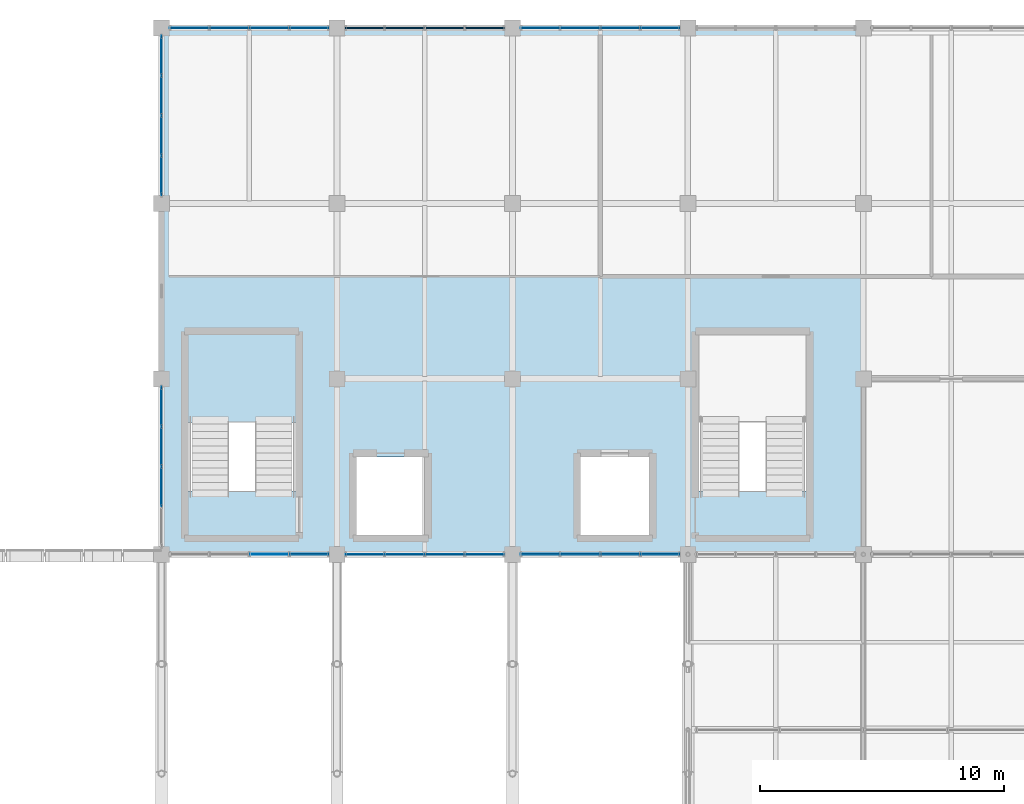
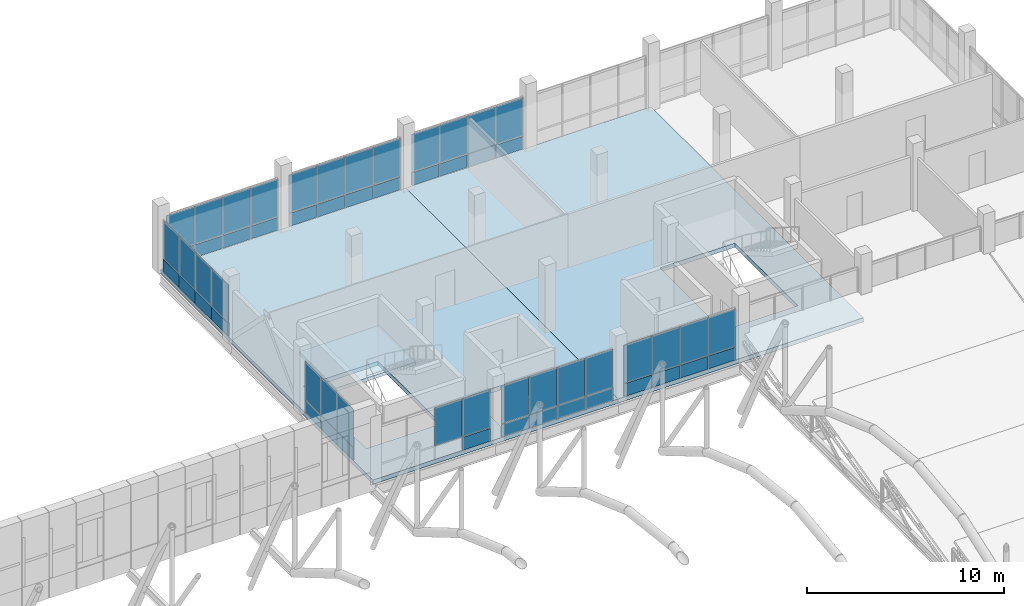
# One storey, part 93 of 144: 57 plates, 3 slabs, 9 elements without a shape of their own.
"""IFC4 building model written with IfcOpenShell, lengths in metres."""

from ifc_helpers import new_model, si_unit, direction, frame, origin, origin_2d, place, context, subcontext, project, spatial, polyline, rectangle, outline, extrude, material, layer, layer_set, type_object, element, aggregate, save


model = new_model("IFC4")

# Units and contexts
model_context = context("Model", 3, precision=1e-05, world=origin(), true_north=direction((0.0, 1.0)))
body_context = subcontext(model_context, "Body", "Model", "MODEL_VIEW")
ifc_project = project(units=[si_unit("LENGTHUNIT", "METRE"), si_unit("AREAUNIT", "SQUARE_METRE"), si_unit("VOLUMEUNIT", "CUBIC_METRE"), si_unit("PLANEANGLEUNIT", "RADIAN"), si_unit("MASSUNIT", "GRAM", prefix="KILO")], contexts=[model_context])

# Site, building, storey
site_placement = place(None, origin())
site = spatial("IfcSite", under=ifc_project, at=site_placement, CompositionType="ELEMENT")
building_placement = place(site_placement, origin())
building = spatial("IfcBuilding", under=site, at=building_placement, Name="Yarey Park Central Fire Station", CompositionType="ELEMENT")
storey_placement = place(building_placement, frame((0.0, 0.0, 10.199951171875)))
storey = spatial("IfcBuildingStorey", under=building, at=storey_placement, Name="L03", CompositionType="ELEMENT", Elevation=10.199951171875)

# Curtain wall, plates
ifc_material_1 = material(Name="Anodized Aluminium Frame", Category="aluminium")
curtain_wall_type = type_object("IfcCurtainWallType", Name="ENV_CW_HQ_L03", PredefinedType="NOTDEFINED", material=ifc_material_1)
curtain_wall_1_placement = place(storey_placement, origin())
curtain_wall_1 = element("IfcCurtainWall", 1, at=curtain_wall_1_placement, inside=storey, type_object=curtain_wall_type, Name="CW_L03_V4_S_2", PredefinedType="NOTDEFINED")
ifc_material_2 = material(Name="Insulated Aluminium Spandrel Panel", Category="aluminium")
ifc_layer_1 = layer(ifc_material_2, 0.055908203125)
ifc_layer_set_1 = layer_set([ifc_layer_1], Name="Insulated Aluminium Spandrel Panel")
plate_type_1 = type_object("IfcPlateType", Name="ENV_PNL_SPN_01", PredefinedType="CURTAIN_PANEL", material=ifc_layer_set_1)
plate_1_placement = place(storey_placement, frame((123.532470703125, 93.60009765625, 0.04248046875), z_axis=(0.0, 0.0, 1.0), x_axis=(1.0, 0.0, 0.0)))
plate_1 = element("IfcPlate", 2, at=plate_1_placement, type_object=plate_type_1, Name="CW_L03_V4_S_2_PNL01", PredefinedType="CURTAIN_PANEL", context=body_context, shape_type="SweptSolid", body=[
    extrude(rectangle(XDim=1.60498046875, YDim=0.055908203125, at=origin_2d()), origin(), (0.0, 0.0, 1.0), 0.7900390625),
])
plate_2_placement = place(storey_placement, frame((125.177490234375, 93.60009765625, 0.04248046875), z_axis=(0.0, 0.0, 1.0), x_axis=(1.0, 0.0, 0.0)))
plate_2 = element("IfcPlate", 3, at=plate_2_placement, type_object=plate_type_1, Name="CW_L03_V4_S_2_PNL03", PredefinedType="CURTAIN_PANEL", context=body_context, shape_type="SweptSolid", body=[
    extrude(rectangle(XDim=1.60498046875, YDim=0.055908203125, at=origin_2d()), origin(), (0.0, 0.0, 1.0), 0.7900390625),
])
plate_3_placement = place(storey_placement, frame((126.822509765625, 93.60009765625, 0.04248046875), z_axis=(0.0, 0.0, 1.0), x_axis=(1.0, 0.0, 0.0)))
plate_3 = element("IfcPlate", 4, at=plate_3_placement, type_object=plate_type_1, Name="CW_L03_V4_S_2_PNL05", PredefinedType="CURTAIN_PANEL", context=body_context, shape_type="SweptSolid", body=[
    extrude(rectangle(XDim=1.60498046875, YDim=0.055908203125, at=origin_2d()), origin(), (0.0, 0.0, 1.0), 0.7900390625),
])
plate_4_placement = place(storey_placement, frame((128.467529296875, 93.60009765625, 0.04248046875), z_axis=(0.0, 0.0, 1.0), x_axis=(1.0, 0.0, 0.0)))
plate_4 = element("IfcPlate", 5, at=plate_4_placement, type_object=plate_type_1, Name="CW_L03_V4_S_2_PNL07", PredefinedType="CURTAIN_PANEL", context=body_context, shape_type="SweptSolid", body=[
    extrude(rectangle(XDim=1.60498046875, YDim=0.055908203125, at=origin_2d()), origin(), (0.0, 0.0, 1.0), 0.7900390625),
])

curtain_wall_2_placement = place(storey_placement, origin())
curtain_wall_2 = element("IfcCurtainWall", 6, at=curtain_wall_2_placement, inside=storey, type_object=curtain_wall_type, Name="CW_L03_V4_N_1", PredefinedType="NOTDEFINED")
ifc_layer_2 = layer(ifc_material_2, 0.068115234375)
ifc_layer_set_2 = layer_set([ifc_layer_2], Name="Insulated Aluminium Spandrel Panel")
plate_type_2 = type_object("IfcPlateType", Name="ENV_PNL_SPN_02", PredefinedType="CURTAIN_PANEL", material=ifc_layer_set_2)
plate_5_placement = place(storey_placement, frame((121.267578125, 115.199951171875, 0.04248046875), z_axis=(0.0, 0.0, 1.0), x_axis=(-1.0, 0.0, 0.0)))
plate_5 = element("IfcPlate", 7, at=plate_5_placement, type_object=plate_type_2, Name="CW_L03_V4_N_1_PNL01", PredefinedType="CURTAIN_PANEL", context=body_context, shape_type="SweptSolid", body=[
    extrude(rectangle(XDim=1.60498046875, YDim=0.068115234375, at=origin_2d()), origin(), (0.0, 0.0, 1.0), 0.7900390625),
])
plate_6_placement = place(storey_placement, frame((119.62255859375, 115.199951171875, 0.04248046875), z_axis=(0.0, 0.0, 1.0), x_axis=(-1.0, 0.0, 0.0)))
plate_6 = element("IfcPlate", 8, at=plate_6_placement, type_object=plate_type_2, Name="CW_L03_V4_N_1_PNL03", PredefinedType="CURTAIN_PANEL", context=body_context, shape_type="SweptSolid", body=[
    extrude(rectangle(XDim=1.60498046875, YDim=0.068115234375, at=origin_2d()), origin(), (0.0, 0.0, 1.0), 0.7900390625),
])
plate_7_placement = place(storey_placement, frame((117.9775390625, 115.199951171875, 0.04248046875), z_axis=(0.0, 0.0, 1.0), x_axis=(-1.0, 0.0, 0.0)))
plate_7 = element("IfcPlate", 9, at=plate_7_placement, type_object=plate_type_2, Name="CW_L03_V4_N_1_PNL05", PredefinedType="CURTAIN_PANEL", context=body_context, shape_type="SweptSolid", body=[
    extrude(rectangle(XDim=1.60498046875, YDim=0.068115234375, at=origin_2d()), origin(), (0.0, 0.0, 1.0), 0.7900390625),
])
plate_8_placement = place(storey_placement, frame((116.33251953125, 115.199951171875, 0.04248046875), z_axis=(0.0, 0.0, 1.0), x_axis=(-1.0, 0.0, 0.0)))
plate_8 = element("IfcPlate", 10, at=plate_8_placement, type_object=plate_type_2, Name="CW_L03_V4_N_1_PNL07", PredefinedType="CURTAIN_PANEL", context=body_context, shape_type="SweptSolid", body=[
    extrude(rectangle(XDim=1.60498046875, YDim=0.068115234375, at=origin_2d()), origin(), (0.0, 0.0, 1.0), 0.7900390625),
])

curtain_wall_3_placement = place(storey_placement, origin())
curtain_wall_3 = element("IfcCurtainWall", 11, at=curtain_wall_3_placement, inside=storey, type_object=curtain_wall_type, Name="CW_L03_V4_N_3", PredefinedType="NOTDEFINED")
plate_9_placement = place(storey_placement, frame((135.66748046875, 115.199951171875, 0.04248046875), z_axis=(0.0, 0.0, 1.0), x_axis=(-1.0, 0.0, 0.0)))
plate_9 = element("IfcPlate", 12, at=plate_9_placement, type_object=plate_type_2, Name="CW_L03_V4_N_3_PNL01", PredefinedType="CURTAIN_PANEL", context=body_context, shape_type="SweptSolid", body=[
    extrude(rectangle(XDim=1.60498046875, YDim=0.068115234375, at=origin_2d()), origin(), (0.0, 0.0, 1.0), 0.7900390625),
])
plate_10_placement = place(storey_placement, frame((134.0224609375, 115.199951171875, 0.04248046875), z_axis=(0.0, 0.0, 1.0), x_axis=(-1.0, 0.0, 0.0)))
plate_10 = element("IfcPlate", 13, at=plate_10_placement, type_object=plate_type_2, Name="CW_L03_V4_N_3_PNL03", PredefinedType="CURTAIN_PANEL", context=body_context, shape_type="SweptSolid", body=[
    extrude(rectangle(XDim=1.60498046875, YDim=0.068115234375, at=origin_2d()), origin(), (0.0, 0.0, 1.0), 0.7900390625),
])
plate_11_placement = place(storey_placement, frame((132.37744140625, 115.199951171875, 0.04248046875), z_axis=(0.0, 0.0, 1.0), x_axis=(-1.0, 0.0, 0.0)))
plate_11 = element("IfcPlate", 14, at=plate_11_placement, type_object=plate_type_2, Name="CW_L03_V4_N_3_PNL05", PredefinedType="CURTAIN_PANEL", context=body_context, shape_type="SweptSolid", body=[
    extrude(rectangle(XDim=1.60498046875, YDim=0.068115234375, at=origin_2d()), origin(), (0.0, 0.0, 1.0), 0.7900390625),
])
plate_12_placement = place(storey_placement, frame((130.732421875, 115.199951171875, 0.04248046875), z_axis=(0.0, 0.0, 1.0), x_axis=(-1.0, 0.0, 0.0)))
plate_12 = element("IfcPlate", 15, at=plate_12_placement, type_object=plate_type_2, Name="CW_L03_V4_N_3_PNL07", PredefinedType="CURTAIN_PANEL", context=body_context, shape_type="SweptSolid", body=[
    extrude(rectangle(XDim=1.60498046875, YDim=0.068115234375, at=origin_2d()), origin(), (0.0, 0.0, 1.0), 0.7900390625),
])

curtain_wall_4_placement = place(storey_placement, origin())
curtain_wall_4 = element("IfcCurtainWall", 16, at=curtain_wall_4_placement, inside=storey, type_object=curtain_wall_type, Name="CW_L03_V4_W_93", PredefinedType="NOTDEFINED")
plate_13_placement = place(storey_placement, frame((115.199951171875, 99.66748046875, 0.04248046875), z_axis=(0.0, 0.0, 1.0), x_axis=(0.0, -1.0, 0.0)))
plate_13 = element("IfcPlate", 17, at=plate_13_placement, type_object=plate_type_2, Name="CW_L03_V4_W_93_PNL01", PredefinedType="CURTAIN_PANEL", context=body_context, shape_type="SweptSolid", body=[
    extrude(rectangle(XDim=1.60498046875, YDim=0.068115234375, at=origin_2d()), origin(), (0.0, 0.0, 1.0), 0.7900390625),
])
plate_14_placement = place(storey_placement, frame((115.199951171875, 98.0224609375, 0.04248046875), z_axis=(0.0, 0.0, 1.0), x_axis=(0.0, -1.0, 0.0)))
plate_14 = element("IfcPlate", 18, at=plate_14_placement, type_object=plate_type_2, Name="CW_L03_V4_W_93_PNL03", PredefinedType="CURTAIN_PANEL", context=body_context, shape_type="SweptSolid", body=[
    extrude(rectangle(XDim=1.60498046875, YDim=0.068115234375, at=origin_2d()), origin(), (0.0, 0.0, 1.0), 0.7900390625),
])
plate_15_placement = place(storey_placement, frame((115.199951171875, 96.37744140625, 0.04248046875), z_axis=(0.0, 0.0, 1.0), x_axis=(0.0, -1.0, 0.0)))
plate_15 = element("IfcPlate", 19, at=plate_15_placement, type_object=plate_type_2, Name="CW_L03_V4_W_93_PNL05", PredefinedType="CURTAIN_PANEL", context=body_context, shape_type="SweptSolid", body=[
    extrude(rectangle(XDim=1.60498046875, YDim=0.068115234375, at=origin_2d()), origin(), (0.0, 0.0, 1.0), 0.7900390625),
])

# Curtain wall, plate
curtain_wall_5_placement = place(storey_placement, origin())
curtain_wall_5 = element("IfcCurtainWall", 20, at=curtain_wall_5_placement, inside=storey, type_object=curtain_wall_type, Name="CW_L03_V4_S_1", PredefinedType="NOTDEFINED")
ifc_layer_3 = layer(ifc_material_2, 0.077880859375)
ifc_layer_set_3 = layer_set([ifc_layer_3], Name="Insulated Aluminium Spandrel Panel")
plate_type_3 = type_object("IfcPlateType", Name="ENV_PNL_SPN_03", PredefinedType="CURTAIN_PANEL", material=ifc_layer_set_3)
plate_16_placement = place(storey_placement, frame((121.267578125, 93.60009765625, 0.04248046875), z_axis=(0.0, 0.0, 1.0), x_axis=(1.0, 0.0, 0.0)))
plate_16 = element("IfcPlate", 21, at=plate_16_placement, type_object=plate_type_3, Name="CW_L03_V4_S_1_PNL07", PredefinedType="CURTAIN_PANEL", context=body_context, shape_type="SweptSolid", body=[
    extrude(rectangle(XDim=1.60498046875, YDim=0.077880859375, at=origin_2d()), origin(), (0.0, 0.0, 1.0), 0.7900390625),
])

# Curtain wall, plates
curtain_wall_6_placement = place(storey_placement, origin())
curtain_wall_6 = element("IfcCurtainWall", 22, at=curtain_wall_6_placement, inside=storey, type_object=curtain_wall_type, Name="CW_L03_V4_S_3", PredefinedType="NOTDEFINED")
plate_17_placement = place(storey_placement, frame((130.732421875, 93.60009765625, 0.04248046875), z_axis=(0.0, 0.0, 1.0), x_axis=(1.0, 0.0, 0.0)))
plate_17 = element("IfcPlate", 23, at=plate_17_placement, type_object=plate_type_3, Name="CW_L03_V4_S_3_PNL01", PredefinedType="CURTAIN_PANEL", context=body_context, shape_type="SweptSolid", body=[
    extrude(rectangle(XDim=1.60498046875, YDim=0.077880859375, at=origin_2d()), origin(), (0.0, 0.0, 1.0), 0.7900390625),
])
plate_18_placement = place(storey_placement, frame((132.37744140625, 93.60009765625, 0.04248046875), z_axis=(0.0, 0.0, 1.0), x_axis=(1.0, 0.0, 0.0)))
plate_18 = element("IfcPlate", 24, at=plate_18_placement, type_object=plate_type_3, Name="CW_L03_V4_S_3_PNL03", PredefinedType="CURTAIN_PANEL", context=body_context, shape_type="SweptSolid", body=[
    extrude(rectangle(XDim=1.60498046875, YDim=0.077880859375, at=origin_2d()), origin(), (0.0, 0.0, 1.0), 0.7900390625),
])
plate_19_placement = place(storey_placement, frame((134.0224609375, 93.60009765625, 0.04248046875), z_axis=(0.0, 0.0, 1.0), x_axis=(1.0, 0.0, 0.0)))
plate_19 = element("IfcPlate", 25, at=plate_19_placement, type_object=plate_type_3, Name="CW_L03_V4_S_3_PNL05", PredefinedType="CURTAIN_PANEL", context=body_context, shape_type="SweptSolid", body=[
    extrude(rectangle(XDim=1.60498046875, YDim=0.077880859375, at=origin_2d()), origin(), (0.0, 0.0, 1.0), 0.7900390625),
])
plate_20_placement = place(storey_placement, frame((135.66748046875, 93.60009765625, 0.04248046875), z_axis=(0.0, 0.0, 1.0), x_axis=(1.0, 0.0, 0.0)))
plate_20 = element("IfcPlate", 26, at=plate_20_placement, type_object=plate_type_3, Name="CW_L03_V4_S_3_PNL07", PredefinedType="CURTAIN_PANEL", context=body_context, shape_type="SweptSolid", body=[
    extrude(rectangle(XDim=1.60498046875, YDim=0.077880859375, at=origin_2d()), origin(), (0.0, 0.0, 1.0), 0.7900390625),
])

curtain_wall_7_placement = place(storey_placement, origin())
curtain_wall_7 = element("IfcCurtainWall", 27, at=curtain_wall_7_placement, inside=storey, type_object=curtain_wall_type, Name="CW_L03_V4_W_108", PredefinedType="NOTDEFINED")
plate_21_placement = place(storey_placement, frame((115.199951171875, 114.0673828125, 0.04248046875), z_axis=(0.0, 0.0, 1.0), x_axis=(0.0, -1.0, 0.0)))
plate_21 = element("IfcPlate", 28, at=plate_21_placement, type_object=plate_type_3, Name="CW_L03_V4_W_108_PNL01", PredefinedType="CURTAIN_PANEL", context=body_context, shape_type="SweptSolid", body=[
    extrude(rectangle(XDim=1.60498046875, YDim=0.077880859375, at=origin_2d()), origin(), (0.0, 0.0, 1.0), 0.7900390625),
])
plate_22_placement = place(storey_placement, frame((115.199951171875, 112.422607421875, 0.04248046875), z_axis=(0.0, 0.0, 1.0), x_axis=(0.0, -1.0, 0.0)))
plate_22 = element("IfcPlate", 29, at=plate_22_placement, type_object=plate_type_3, Name="CW_L03_V4_W_108_PNL03", PredefinedType="CURTAIN_PANEL", context=body_context, shape_type="SweptSolid", body=[
    extrude(rectangle(XDim=1.60498046875, YDim=0.077880859375, at=origin_2d()), origin(), (0.0, 0.0, 1.0), 0.7900390625),
])
plate_23_placement = place(storey_placement, frame((115.199951171875, 110.777587890625, 0.04248046875), z_axis=(0.0, 0.0, 1.0), x_axis=(0.0, -1.0, 0.0)))
plate_23 = element("IfcPlate", 30, at=plate_23_placement, type_object=plate_type_3, Name="CW_L03_V4_W_108_PNL05", PredefinedType="CURTAIN_PANEL", context=body_context, shape_type="SweptSolid", body=[
    extrude(rectangle(XDim=1.60498046875, YDim=0.077880859375, at=origin_2d()), origin(), (0.0, 0.0, 1.0), 0.7900390625),
])
plate_24_placement = place(storey_placement, frame((115.199951171875, 109.132568359375, 0.04248046875), z_axis=(0.0, 0.0, 1.0), x_axis=(0.0, -1.0, 0.0)))
plate_24 = element("IfcPlate", 31, at=plate_24_placement, type_object=plate_type_3, Name="CW_L03_V4_W_108_PNL07", PredefinedType="CURTAIN_PANEL", context=body_context, shape_type="SweptSolid", body=[
    extrude(rectangle(XDim=1.60498046875, YDim=0.077880859375, at=origin_2d()), origin(), (0.0, 0.0, 1.0), 0.7900390625),
])

curtain_wall_8_placement = place(storey_placement, origin())
curtain_wall_8 = element("IfcCurtainWall", 32, at=curtain_wall_8_placement, inside=storey, type_object=curtain_wall_type, Name="CW_L03_V4_N_2", PredefinedType="NOTDEFINED")
ifc_layer_4 = layer(ifc_material_2, 0.087890625)
ifc_layer_set_4 = layer_set([ifc_layer_4], Name="Insulated Aluminium Spandrel Panel")
plate_type_4 = type_object("IfcPlateType", Name="ENV_PNL_SPN_04", PredefinedType="CURTAIN_PANEL", material=ifc_layer_set_4)
plate_25_placement = place(storey_placement, frame((128.467529296875, 115.199951171875, 0.04248046875), z_axis=(0.0, 0.0, 1.0), x_axis=(-1.0, 0.0, 0.0)))
plate_25 = element("IfcPlate", 33, at=plate_25_placement, type_object=plate_type_4, Name="CW_L03_V4_N_2_PNL01", PredefinedType="CURTAIN_PANEL", context=body_context, shape_type="SweptSolid", body=[
    extrude(rectangle(XDim=1.60498046875, YDim=0.087890625, at=origin_2d()), origin(), (0.0, 0.0, 1.0), 0.7900390625),
])
plate_26_placement = place(storey_placement, frame((126.822509765625, 115.199951171875, 0.04248046875), z_axis=(0.0, 0.0, 1.0), x_axis=(-1.0, 0.0, 0.0)))
plate_26 = element("IfcPlate", 34, at=plate_26_placement, type_object=plate_type_4, Name="CW_L03_V4_N_2_PNL03", PredefinedType="CURTAIN_PANEL", context=body_context, shape_type="SweptSolid", body=[
    extrude(rectangle(XDim=1.60498046875, YDim=0.087890625, at=origin_2d()), origin(), (0.0, 0.0, 1.0), 0.7900390625),
])
plate_27_placement = place(storey_placement, frame((125.177490234375, 115.199951171875, 0.04248046875), z_axis=(0.0, 0.0, 1.0), x_axis=(-1.0, 0.0, 0.0)))
plate_27 = element("IfcPlate", 35, at=plate_27_placement, type_object=plate_type_4, Name="CW_L03_V4_N_2_PNL05", PredefinedType="CURTAIN_PANEL", context=body_context, shape_type="SweptSolid", body=[
    extrude(rectangle(XDim=1.60498046875, YDim=0.087890625, at=origin_2d()), origin(), (0.0, 0.0, 1.0), 0.7900390625),
])
plate_28_placement = place(storey_placement, frame((123.532470703125, 115.199951171875, 0.04248046875), z_axis=(0.0, 0.0, 1.0), x_axis=(-1.0, 0.0, 0.0)))
plate_28 = element("IfcPlate", 36, at=plate_28_placement, type_object=plate_type_4, Name="CW_L03_V4_N_2_PNL07", PredefinedType="CURTAIN_PANEL", context=body_context, shape_type="SweptSolid", body=[
    extrude(rectangle(XDim=1.60498046875, YDim=0.087890625, at=origin_2d()), origin(), (0.0, 0.0, 1.0), 0.7900390625),
])

# Plate
ifc_material_3 = material(Name="Laminated Hurricane Low-E Glass", Category="glass")
ifc_layer_5 = layer(ifc_material_3, 0.02392578125)
ifc_layer_set_5 = layer_set([ifc_layer_5], Name="Laminated Hurricane Low-E Glass")
plate_type_5 = type_object("IfcPlateType", Name="ENV_PNL_VIS_01", PredefinedType="CURTAIN_PANEL", material=ifc_layer_set_5)
plate_29_placement = place(storey_placement, frame((123.532470703125, 93.60009765625, 0.86767578125), z_axis=(0.0, 0.0, 1.0), x_axis=(1.0, 0.0, 0.0)))
plate_29 = element("IfcPlate", 37, at=plate_29_placement, type_object=plate_type_5, Name="CW_L03_V4_S_2_PNL02", PredefinedType="CURTAIN_PANEL", context=body_context, shape_type="SweptSolid", body=[
    extrude(rectangle(XDim=1.60498046875, YDim=0.02392578125, at=origin_2d()), origin(), (0.0, 0.0, 1.0), 2.340087890625),
])

plate_30_placement = place(storey_placement, frame((125.177490234375, 93.60009765625, 0.86767578125), z_axis=(0.0, 0.0, 1.0), x_axis=(1.0, 0.0, 0.0)))
plate_30 = element("IfcPlate", 38, at=plate_30_placement, type_object=plate_type_5, Name="CW_L03_V4_S_2_PNL04", PredefinedType="CURTAIN_PANEL", context=body_context, shape_type="SweptSolid", body=[
    extrude(rectangle(XDim=1.60498046875, YDim=0.02392578125, at=origin_2d()), origin(), (0.0, 0.0, 1.0), 2.340087890625),
])

plate_31_placement = place(storey_placement, frame((126.822509765625, 93.60009765625, 0.86767578125), z_axis=(0.0, 0.0, 1.0), x_axis=(1.0, 0.0, 0.0)))
plate_31 = element("IfcPlate", 39, at=plate_31_placement, type_object=plate_type_5, Name="CW_L03_V4_S_2_PNL06", PredefinedType="CURTAIN_PANEL", context=body_context, shape_type="SweptSolid", body=[
    extrude(rectangle(XDim=1.60498046875, YDim=0.02392578125, at=origin_2d()), origin(), (0.0, 0.0, 1.0), 2.340087890625),
])

plate_32_placement = place(storey_placement, frame((128.467529296875, 93.60009765625, 0.86767578125), z_axis=(0.0, 0.0, 1.0), x_axis=(1.0, 0.0, 0.0)))
plate_32 = element("IfcPlate", 40, at=plate_32_placement, type_object=plate_type_5, Name="CW_L03_V4_S_2_PNL08", PredefinedType="CURTAIN_PANEL", context=body_context, shape_type="SweptSolid", body=[
    extrude(rectangle(XDim=1.60498046875, YDim=0.02392578125, at=origin_2d()), origin(), (0.0, 0.0, 1.0), 2.340087890625),
])

aggregate(curtain_wall_1, [plate_1, plate_29, plate_2, plate_30, plate_3, plate_31, plate_4, plate_32])

ifc_layer_6 = layer(ifc_material_3, 0.031982421875)
ifc_layer_set_6 = layer_set([ifc_layer_6], Name="Laminated Hurricane Low-E Glass")
plate_type_6 = type_object("IfcPlateType", Name="ENV_PNL_VIS_02", PredefinedType="CURTAIN_PANEL", material=ifc_layer_set_6)
plate_33_placement = place(storey_placement, frame((121.267578125, 115.199951171875, 0.86767578125), z_axis=(0.0, 0.0, 1.0), x_axis=(-1.0, 0.0, 0.0)))
plate_33 = element("IfcPlate", 41, at=plate_33_placement, type_object=plate_type_6, Name="CW_L03_V4_N_1_PNL02", PredefinedType="CURTAIN_PANEL", context=body_context, shape_type="SweptSolid", body=[
    extrude(rectangle(XDim=1.60498046875, YDim=0.031982421875, at=origin_2d()), origin(), (0.0, 0.0, 1.0), 2.340087890625),
])

plate_34_placement = place(storey_placement, frame((119.62255859375, 115.199951171875, 0.86767578125), z_axis=(0.0, 0.0, 1.0), x_axis=(-1.0, 0.0, 0.0)))
plate_34 = element("IfcPlate", 42, at=plate_34_placement, type_object=plate_type_6, Name="CW_L03_V4_N_1_PNL04", PredefinedType="CURTAIN_PANEL", context=body_context, shape_type="SweptSolid", body=[
    extrude(rectangle(XDim=1.60498046875, YDim=0.031982421875, at=origin_2d()), origin(), (0.0, 0.0, 1.0), 2.340087890625),
])

plate_35_placement = place(storey_placement, frame((117.9775390625, 115.199951171875, 0.86767578125), z_axis=(0.0, 0.0, 1.0), x_axis=(-1.0, 0.0, 0.0)))
plate_35 = element("IfcPlate", 43, at=plate_35_placement, type_object=plate_type_6, Name="CW_L03_V4_N_1_PNL06", PredefinedType="CURTAIN_PANEL", context=body_context, shape_type="SweptSolid", body=[
    extrude(rectangle(XDim=1.60498046875, YDim=0.031982421875, at=origin_2d()), origin(), (0.0, 0.0, 1.0), 2.340087890625),
])

plate_36_placement = place(storey_placement, frame((116.33251953125, 115.199951171875, 0.86767578125), z_axis=(0.0, 0.0, 1.0), x_axis=(-1.0, 0.0, 0.0)))
plate_36 = element("IfcPlate", 44, at=plate_36_placement, type_object=plate_type_6, Name="CW_L03_V4_N_1_PNL08", PredefinedType="CURTAIN_PANEL", context=body_context, shape_type="SweptSolid", body=[
    extrude(rectangle(XDim=1.60498046875, YDim=0.031982421875, at=origin_2d()), origin(), (0.0, 0.0, 1.0), 2.340087890625),
])

aggregate(curtain_wall_2, [plate_5, plate_33, plate_6, plate_34, plate_7, plate_35, plate_8, plate_36])

plate_37_placement = place(storey_placement, frame((135.66748046875, 115.199951171875, 0.86767578125), z_axis=(0.0, 0.0, 1.0), x_axis=(-1.0, 0.0, 0.0)))
plate_37 = element("IfcPlate", 45, at=plate_37_placement, type_object=plate_type_6, Name="CW_L03_V4_N_3_PNL02", PredefinedType="CURTAIN_PANEL", context=body_context, shape_type="SweptSolid", body=[
    extrude(rectangle(XDim=1.60498046875, YDim=0.031982421875, at=origin_2d()), origin(), (0.0, 0.0, 1.0), 2.340087890625),
])

plate_38_placement = place(storey_placement, frame((134.0224609375, 115.199951171875, 0.86767578125), z_axis=(0.0, 0.0, 1.0), x_axis=(-1.0, 0.0, 0.0)))
plate_38 = element("IfcPlate", 46, at=plate_38_placement, type_object=plate_type_6, Name="CW_L03_V4_N_3_PNL04", PredefinedType="CURTAIN_PANEL", context=body_context, shape_type="SweptSolid", body=[
    extrude(rectangle(XDim=1.60498046875, YDim=0.031982421875, at=origin_2d()), origin(), (0.0, 0.0, 1.0), 2.340087890625),
])

plate_39_placement = place(storey_placement, frame((132.37744140625, 115.199951171875, 0.86767578125), z_axis=(0.0, 0.0, 1.0), x_axis=(-1.0, 0.0, 0.0)))
plate_39 = element("IfcPlate", 47, at=plate_39_placement, type_object=plate_type_6, Name="CW_L03_V4_N_3_PNL06", PredefinedType="CURTAIN_PANEL", context=body_context, shape_type="SweptSolid", body=[
    extrude(rectangle(XDim=1.60498046875, YDim=0.031982421875, at=origin_2d()), origin(), (0.0, 0.0, 1.0), 2.340087890625),
])

plate_40_placement = place(storey_placement, frame((130.732421875, 115.199951171875, 0.86767578125), z_axis=(0.0, 0.0, 1.0), x_axis=(-1.0, 0.0, 0.0)))
plate_40 = element("IfcPlate", 48, at=plate_40_placement, type_object=plate_type_6, Name="CW_L03_V4_N_3_PNL08", PredefinedType="CURTAIN_PANEL", context=body_context, shape_type="SweptSolid", body=[
    extrude(rectangle(XDim=1.60498046875, YDim=0.031982421875, at=origin_2d()), origin(), (0.0, 0.0, 1.0), 2.340087890625),
])

aggregate(curtain_wall_3, [plate_9, plate_37, plate_10, plate_38, plate_11, plate_39, plate_12, plate_40])

plate_41_placement = place(storey_placement, frame((115.199951171875, 99.66748046875, 0.86767578125), z_axis=(0.0, 0.0, 1.0), x_axis=(0.0, -1.0, 0.0)))
plate_41 = element("IfcPlate", 49, at=plate_41_placement, type_object=plate_type_6, Name="CW_L03_V4_W_93_PNL02", PredefinedType="CURTAIN_PANEL", context=body_context, shape_type="SweptSolid", body=[
    extrude(rectangle(XDim=1.60498046875, YDim=0.031982421875, at=origin_2d()), origin(), (0.0, 0.0, 1.0), 2.340087890625),
])

plate_42_placement = place(storey_placement, frame((115.199951171875, 98.0224609375, 0.86767578125), z_axis=(0.0, 0.0, 1.0), x_axis=(0.0, -1.0, 0.0)))
plate_42 = element("IfcPlate", 50, at=plate_42_placement, type_object=plate_type_6, Name="CW_L03_V4_W_93_PNL04", PredefinedType="CURTAIN_PANEL", context=body_context, shape_type="SweptSolid", body=[
    extrude(rectangle(XDim=1.60498046875, YDim=0.031982421875, at=origin_2d()), origin(), (0.0, 0.0, 1.0), 2.340087890625),
])

plate_43_placement = place(storey_placement, frame((115.199951171875, 96.37744140625, 0.86767578125), z_axis=(0.0, 0.0, 1.0), x_axis=(0.0, -1.0, 0.0)))
plate_43 = element("IfcPlate", 51, at=plate_43_placement, type_object=plate_type_6, Name="CW_L03_V4_W_93_PNL06", PredefinedType="CURTAIN_PANEL", context=body_context, shape_type="SweptSolid", body=[
    extrude(rectangle(XDim=1.60498046875, YDim=0.031982421875, at=origin_2d()), origin(), (0.0, 0.0, 1.0), 2.340087890625),
])

aggregate(curtain_wall_4, [plate_13, plate_41, plate_14, plate_42, plate_15, plate_43])

ifc_layer_7 = layer(ifc_material_3, 0.0380859375)
ifc_layer_set_7 = layer_set([ifc_layer_7], Name="Laminated Hurricane Low-E Glass")
plate_type_7 = type_object("IfcPlateType", Name="ENV_PNL_VIS_03", PredefinedType="CURTAIN_PANEL", material=ifc_layer_set_7)
plate_44_placement = place(storey_placement, frame((119.62255859375, 93.60009765625, 0.86767578125), z_axis=(0.0, 0.0, 1.0), x_axis=(1.0, 0.0, 0.0)))
plate_44 = element("IfcPlate", 52, at=plate_44_placement, type_object=plate_type_7, Name="CW_L03_V4_S_1_PNL06", PredefinedType="CURTAIN_PANEL", context=body_context, shape_type="SweptSolid", body=[
    extrude(rectangle(XDim=1.60498046875, YDim=0.0380859375, at=origin_2d()), origin(), (0.0, 0.0, 1.0), 2.340087890625),
])

plate_45_placement = place(storey_placement, frame((121.267578125, 93.60009765625, 0.86767578125), z_axis=(0.0, 0.0, 1.0), x_axis=(1.0, 0.0, 0.0)))
plate_45 = element("IfcPlate", 53, at=plate_45_placement, type_object=plate_type_7, Name="CW_L03_V4_S_1_PNL08", PredefinedType="CURTAIN_PANEL", context=body_context, shape_type="SweptSolid", body=[
    extrude(rectangle(XDim=1.60498046875, YDim=0.0380859375, at=origin_2d()), origin(), (0.0, 0.0, 1.0), 2.340087890625),
])

aggregate(curtain_wall_5, [plate_44, plate_16, plate_45])

plate_46_placement = place(storey_placement, frame((130.732421875, 93.60009765625, 0.86767578125), z_axis=(0.0, 0.0, 1.0), x_axis=(1.0, 0.0, 0.0)))
plate_46 = element("IfcPlate", 54, at=plate_46_placement, type_object=plate_type_7, Name="CW_L03_V4_S_3_PNL02", PredefinedType="CURTAIN_PANEL", context=body_context, shape_type="SweptSolid", body=[
    extrude(rectangle(XDim=1.60498046875, YDim=0.0380859375, at=origin_2d()), origin(), (0.0, 0.0, 1.0), 2.340087890625),
])

plate_47_placement = place(storey_placement, frame((132.37744140625, 93.60009765625, 0.86767578125), z_axis=(0.0, 0.0, 1.0), x_axis=(1.0, 0.0, 0.0)))
plate_47 = element("IfcPlate", 55, at=plate_47_placement, type_object=plate_type_7, Name="CW_L03_V4_S_3_PNL04", PredefinedType="CURTAIN_PANEL", context=body_context, shape_type="SweptSolid", body=[
    extrude(rectangle(XDim=1.60498046875, YDim=0.0380859375, at=origin_2d()), origin(), (0.0, 0.0, 1.0), 2.340087890625),
])

plate_48_placement = place(storey_placement, frame((134.0224609375, 93.60009765625, 0.86767578125), z_axis=(0.0, 0.0, 1.0), x_axis=(1.0, 0.0, 0.0)))
plate_48 = element("IfcPlate", 56, at=plate_48_placement, type_object=plate_type_7, Name="CW_L03_V4_S_3_PNL06", PredefinedType="CURTAIN_PANEL", context=body_context, shape_type="SweptSolid", body=[
    extrude(rectangle(XDim=1.60498046875, YDim=0.0380859375, at=origin_2d()), origin(), (0.0, 0.0, 1.0), 2.340087890625),
])

plate_49_placement = place(storey_placement, frame((135.66748046875, 93.60009765625, 0.86767578125), z_axis=(0.0, 0.0, 1.0), x_axis=(1.0, 0.0, 0.0)))
plate_49 = element("IfcPlate", 57, at=plate_49_placement, type_object=plate_type_7, Name="CW_L03_V4_S_3_PNL08", PredefinedType="CURTAIN_PANEL", context=body_context, shape_type="SweptSolid", body=[
    extrude(rectangle(XDim=1.60498046875, YDim=0.0380859375, at=origin_2d()), origin(), (0.0, 0.0, 1.0), 2.340087890625),
])

aggregate(curtain_wall_6, [plate_17, plate_46, plate_18, plate_47, plate_19, plate_48, plate_20, plate_49])

plate_50_placement = place(storey_placement, frame((115.199951171875, 114.0673828125, 0.86767578125), z_axis=(0.0, 0.0, 1.0), x_axis=(0.0, -1.0, 0.0)))
plate_50 = element("IfcPlate", 58, at=plate_50_placement, type_object=plate_type_7, Name="CW_L03_V4_W_108_PNL02", PredefinedType="CURTAIN_PANEL", context=body_context, shape_type="SweptSolid", body=[
    extrude(rectangle(XDim=1.60498046875, YDim=0.0380859375, at=origin_2d()), origin(), (0.0, 0.0, 1.0), 2.340087890625),
])

plate_51_placement = place(storey_placement, frame((115.199951171875, 112.422607421875, 0.86767578125), z_axis=(0.0, 0.0, 1.0), x_axis=(0.0, -1.0, 0.0)))
plate_51 = element("IfcPlate", 59, at=plate_51_placement, type_object=plate_type_7, Name="CW_L03_V4_W_108_PNL04", PredefinedType="CURTAIN_PANEL", context=body_context, shape_type="SweptSolid", body=[
    extrude(rectangle(XDim=1.60498046875, YDim=0.0380859375, at=origin_2d()), origin(), (0.0, 0.0, 1.0), 2.340087890625),
])

plate_52_placement = place(storey_placement, frame((115.199951171875, 110.777587890625, 0.86767578125), z_axis=(0.0, 0.0, 1.0), x_axis=(0.0, -1.0, 0.0)))
plate_52 = element("IfcPlate", 60, at=plate_52_placement, type_object=plate_type_7, Name="CW_L03_V4_W_108_PNL06", PredefinedType="CURTAIN_PANEL", context=body_context, shape_type="SweptSolid", body=[
    extrude(rectangle(XDim=1.60498046875, YDim=0.0380859375, at=origin_2d()), origin(), (0.0, 0.0, 1.0), 2.340087890625),
])

plate_53_placement = place(storey_placement, frame((115.199951171875, 109.132568359375, 0.86767578125), z_axis=(0.0, 0.0, 1.0), x_axis=(0.0, -1.0, 0.0)))
plate_53 = element("IfcPlate", 61, at=plate_53_placement, type_object=plate_type_7, Name="CW_L03_V4_W_108_PNL08", PredefinedType="CURTAIN_PANEL", context=body_context, shape_type="SweptSolid", body=[
    extrude(rectangle(XDim=1.60498046875, YDim=0.0380859375, at=origin_2d()), origin(), (0.0, 0.0, 1.0), 2.340087890625),
])

aggregate(curtain_wall_7, [plate_21, plate_50, plate_22, plate_51, plate_23, plate_52, plate_24, plate_53])

ifc_layer_8 = layer(ifc_material_3, 0.0458984375)
ifc_layer_set_8 = layer_set([ifc_layer_8], Name="Laminated Hurricane Low-E Glass")
plate_type_8 = type_object("IfcPlateType", Name="ENV_PNL_VIS_04", PredefinedType="CURTAIN_PANEL", material=ifc_layer_set_8)
plate_54_placement = place(storey_placement, frame((128.467529296875, 115.199951171875, 0.86767578125), z_axis=(0.0, 0.0, 1.0), x_axis=(-1.0, 0.0, 0.0)))
plate_54 = element("IfcPlate", 62, at=plate_54_placement, type_object=plate_type_8, Name="CW_L03_V4_N_2_PNL02", PredefinedType="CURTAIN_PANEL", context=body_context, shape_type="SweptSolid", body=[
    extrude(rectangle(XDim=1.60498046875, YDim=0.0458984375, at=origin_2d()), origin(), (0.0, 0.0, 1.0), 2.340087890625),
])

plate_55_placement = place(storey_placement, frame((126.822509765625, 115.199951171875, 0.86767578125), z_axis=(0.0, 0.0, 1.0), x_axis=(-1.0, 0.0, 0.0)))
plate_55 = element("IfcPlate", 63, at=plate_55_placement, type_object=plate_type_8, Name="CW_L03_V4_N_2_PNL04", PredefinedType="CURTAIN_PANEL", context=body_context, shape_type="SweptSolid", body=[
    extrude(rectangle(XDim=1.60498046875, YDim=0.0458984375, at=origin_2d()), origin(), (0.0, 0.0, 1.0), 2.340087890625),
])

plate_56_placement = place(storey_placement, frame((125.177490234375, 115.199951171875, 0.86767578125), z_axis=(0.0, 0.0, 1.0), x_axis=(-1.0, 0.0, 0.0)))
plate_56 = element("IfcPlate", 64, at=plate_56_placement, type_object=plate_type_8, Name="CW_L03_V4_N_2_PNL06", PredefinedType="CURTAIN_PANEL", context=body_context, shape_type="SweptSolid", body=[
    extrude(rectangle(XDim=1.60498046875, YDim=0.0458984375, at=origin_2d()), origin(), (0.0, 0.0, 1.0), 2.340087890625),
])

plate_57_placement = place(storey_placement, frame((123.532470703125, 115.199951171875, 0.86767578125), z_axis=(0.0, 0.0, 1.0), x_axis=(-1.0, 0.0, 0.0)))
plate_57 = element("IfcPlate", 65, at=plate_57_placement, type_object=plate_type_8, Name="CW_L03_V4_N_2_PNL08", PredefinedType="CURTAIN_PANEL", context=body_context, shape_type="SweptSolid", body=[
    extrude(rectangle(XDim=1.60498046875, YDim=0.0458984375, at=origin_2d()), origin(), (0.0, 0.0, 1.0), 2.340087890625),
])

aggregate(curtain_wall_8, [plate_25, plate_54, plate_26, plate_55, plate_27, plate_56, plate_28, plate_57])

# Stair, slab
ifc_material_4 = material(Name="Concrete C40/50", Category="concrete")
stair_type = type_object("IfcStairType", Name="INT_ST_2RUN_150_H42", PredefinedType="USERDEFINED", material=ifc_material_4)
stair_placement = place(storey_placement, origin())
stair = element("IfcStair", 66, at=stair_placement, inside=storey, type_object=stair_type, Name="Exit Stair ST-1 L03", ObjectType="TWO_RUN_STAIR", PredefinedType="USERDEFINED")
ifc_layer_9 = layer(ifc_material_4, 0.205078125)
ifc_layer_set_9 = layer_set([ifc_layer_9], Name="Concrete C40/50")
slab_type_1 = type_object("IfcSlabType", Name="INT_SLAB_LND205", PredefinedType="LANDING", material=ifc_layer_set_9)
slab_1_placement = place(storey_placement, frame((0.0, 0.0, 1.89501953125)))
slab_1 = element("IfcSlab", 67, at=slab_1_placement, type_object=slab_type_1, Name="STAIR_C1_L03_LND", PredefinedType="LANDING", context=body_context, shape_type="SweptSolid", body=[
    extrude(outline(polyline([(116.14990234375, 99.0), (120.85009765625, 99.0), (120.85009765625, 102.75), (116.14990234375, 102.75), (116.14990234375, 99.0)])), origin(), (0.0, 0.0, 1.0), 0.205078125),
])
aggregate(stair, [slab_1])

# Slabs
ifc_layer_10 = layer(ifc_material_4, 0.260009765625)
ifc_layer_set_10 = layer_set([ifc_layer_10], Name="Concrete C40/50")
slab_type_2 = type_object("IfcSlabType", Name="STR_SLAB_F260", PredefinedType="FLOOR", material=ifc_layer_set_10)
slab_2_placement = place(storey_placement, frame((0.0, 0.0, -0.260009765625)))
element("IfcSlab", 68, at=slab_2_placement, inside=storey, type_object=slab_type_2, Name="SLAB_L03_V4_1", PredefinedType="FLOOR", context=body_context, shape_type="SweptSolid", body=[
    extrude(outline(polyline([(115.199951171875, 93.60009765625), (129.60009765625, 93.60009765625), (129.60009765625, 115.199951171875), (115.199951171875, 115.199951171875), (115.199951171875, 93.60009765625)]), holes=[polyline([(116.300048828125, 96.199951171875), (120.699951171875, 96.199951171875), (120.699951171875, 102.60009765625), (116.300048828125, 102.60009765625), (116.300048828125, 96.199951171875)]), polyline([(123.199951171875, 94.39990234375), (126.0, 94.39990234375), (126.0, 97.60009765625), (123.199951171875, 97.60009765625), (123.199951171875, 94.39990234375)])]), origin(), (0.0, 0.0, 1.0), 0.260009765625),
])
slab_3_placement = place(storey_placement, frame((0.0, 0.0, -0.260009765625)))
element("IfcSlab", 69, at=slab_3_placement, inside=storey, type_object=slab_type_2, Name="SLAB_L03_V4_2", PredefinedType="FLOOR", context=body_context, shape_type="SweptSolid", body=[
    extrude(outline(polyline([(129.60009765625, 93.60009765625), (144.0, 93.60009765625), (144.0, 115.199951171875), (129.60009765625, 115.199951171875), (129.60009765625, 93.60009765625)]), holes=[polyline([(137.25, 96.199951171875), (141.64990234375, 96.199951171875), (141.64990234375, 102.60009765625), (137.25, 102.60009765625), (137.25, 96.199951171875)]), polyline([(132.39990234375, 94.39990234375), (135.199951171875, 94.39990234375), (135.199951171875, 97.60009765625), (132.39990234375, 97.60009765625), (132.39990234375, 94.39990234375)])]), origin(), (0.0, 0.0, 1.0), 0.260009765625),
])

save(model, "model.ifc")
